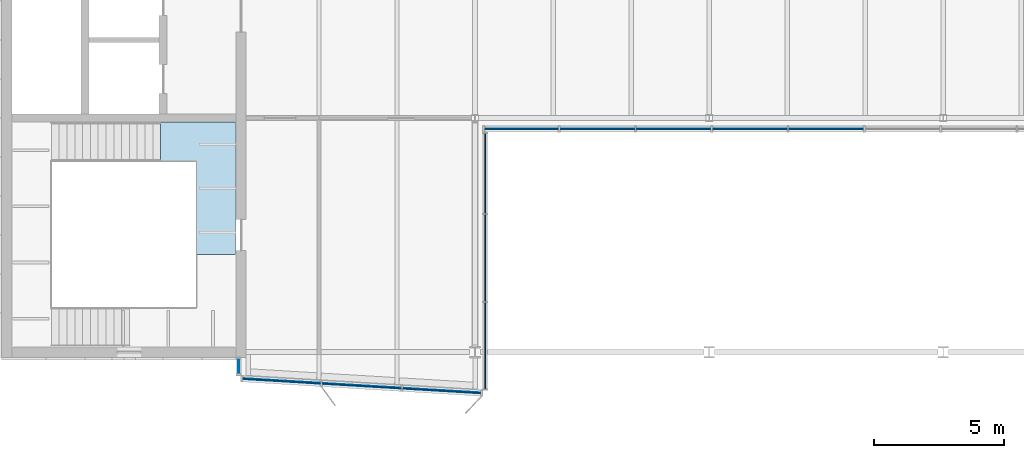
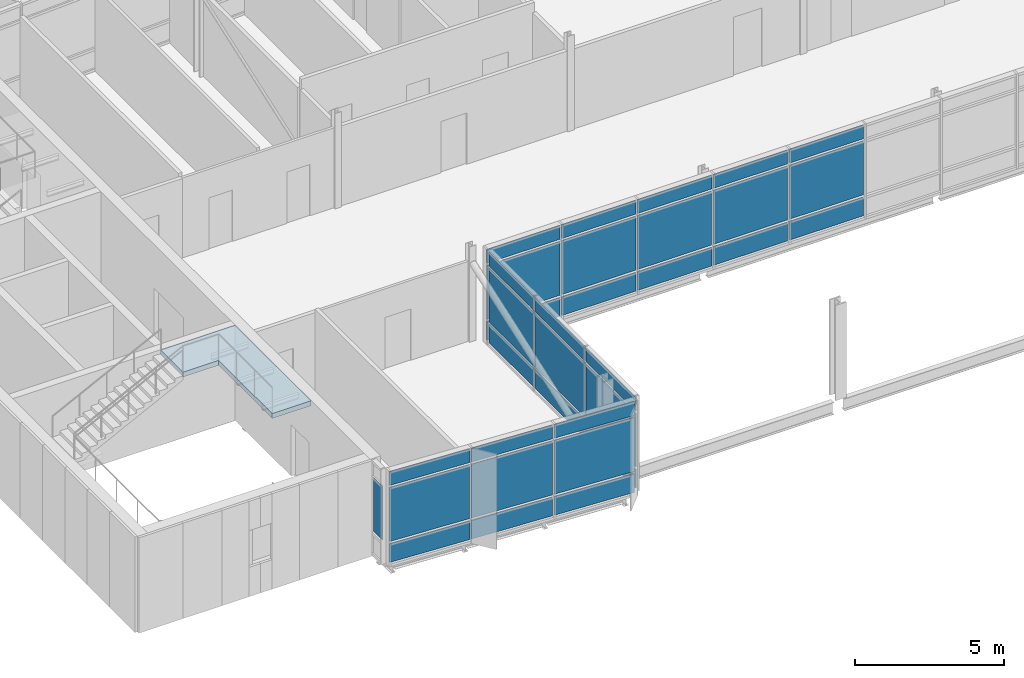
# One storey, part 11 of 20: 34 plates, 1 slab, 5 elements without a shape of their own.
"""IFC4 building model written with IfcOpenShell, lengths in metres."""

from ifc_helpers import new_model, si_unit, direction, frame, origin, origin_2d, place, context, subcontext, project, spatial, polyline, rectangle, outline, extrude, material, layer, layer_set, type_object, element, aggregate, save


model = new_model("IFC4")

# Units and contexts
model_context = context("Model", 3, precision=1e-05, world=origin(), true_north=direction((0.0, 1.0)))
body_context = subcontext(model_context, "Body", "Model", "MODEL_VIEW")
ifc_project = project(units=[si_unit("LENGTHUNIT", "METRE"), si_unit("AREAUNIT", "SQUARE_METRE"), si_unit("VOLUMEUNIT", "CUBIC_METRE"), si_unit("PLANEANGLEUNIT", "RADIAN"), si_unit("MASSUNIT", "GRAM", prefix="KILO")], contexts=[model_context])

# Site, building, storey
site_placement = place(None, origin())
site = spatial("IfcSite", under=ifc_project, at=site_placement, CompositionType="ELEMENT")
building_placement = place(site_placement, origin())
building = spatial("IfcBuilding", under=site, at=building_placement, Name="Azimuth Sports and Learning Centre", CompositionType="ELEMENT")
storey_placement = place(building_placement, frame((0.0, 0.0, 71.39990234375)))
storey = spatial("IfcBuildingStorey", under=building, at=storey_placement, Name="L16", CompositionType="ELEMENT", Elevation=71.39990234375)

# Stair, slab
ifc_material_1 = material(Name="Concrete C32/40", Category="concrete")
stair_type = type_object("IfcStairType", Name="Square-well stair core 3900 storey", PredefinedType="THREE_QUARTER_TURN_STAIR", material=ifc_material_1)
stair_placement = place(storey_placement, origin())
stair = element("IfcStair", 1, at=stair_placement, inside=storey, type_object=stair_type, Name="Stair W1 L16-L17", PredefinedType="THREE_QUARTER_TURN_STAIR")
ifc_material_2 = material(Name="Concrete C32/40", Category="concrete")
ifc_layer_1 = layer(ifc_material_2, 0.199951171875)
ifc_layer_set_1 = layer_set([ifc_layer_1], Name="Concrete C32/40")
slab_type = type_object("IfcSlabType", Name="Concrete stair landing", PredefinedType="LANDING", material=ifc_layer_set_1)
slab_placement = place(storey_placement, frame((0.0, 0.0, 3.7001953125)))
slab = element("IfcSlab", 2, at=slab_placement, type_object=slab_type, Name="Stair W1 L16 landing 3", PredefinedType="LANDING", context=body_context, shape_type="SweptSolid", body=[
    extrude(outline(polyline([(61.2900390625, 97.340087890625), (61.2900390625, 93.75), (62.7900390625, 93.75), (62.7900390625, 98.840087890625), (59.9091796875, 98.840087890625), (59.9091796875, 97.340087890625), (61.2900390625, 97.340087890625)])), origin(), (0.0, 0.0, 1.0), 0.199951171875),
])
aggregate(stair, [slab])

# Curtain wall, plates
ifc_material_3 = material(Name="Aluminium and glass", Category="aluminium")
curtain_wall_type_1 = type_object("IfcCurtainWallType", Name="Curtain wall tower south 240", PredefinedType="NOTDEFINED", material=ifc_material_3)
curtain_wall_1_placement = place(storey_placement, origin())
curtain_wall_1 = element("IfcCurtainWall", 3, at=curtain_wall_1_placement, inside=storey, type_object=curtain_wall_type_1, Name="Curtain wall CW16-002", PredefinedType="NOTDEFINED")
ifc_material_4 = material(Name="Insulated aluminium panel", Category="aluminium")
ifc_layer_2 = layer(ifc_material_4, 0.050048828125)
ifc_layer_set_2 = layer_set([ifc_layer_2], Name="Insulated aluminium panel")
plate_type_1 = type_object("IfcPlateType", Name="Spandrel panel 50 mm", PredefinedType="CURTAIN_PANEL", material=ifc_layer_set_2)
plate_1_placement = place(storey_placement, frame((64.560302734375, 88.88623046875, 0.10009765625), z_axis=(0.0, 0.0, 1.0), x_axis=(0.998204863401, -0.059891991812, 0.0)))
plate_1 = element("IfcPlate", 4, at=plate_1_placement, type_object=plate_type_1, Name="CW16-002 panel 1.1", PredefinedType="CURTAIN_PANEL", context=body_context, shape_type="SweptSolid", body=[
    extrude(rectangle(XDim=3.00048828125, YDim=0.050048828125, at=origin_2d()), origin(), (0.0, 0.0, 1.0), 0.75),
])
plate_2_placement = place(storey_placement, frame((64.560302734375, 88.88623046875, 3.25), z_axis=(0.0, 0.0, 1.0), x_axis=(0.998204863401, -0.059891991812, 0.0)))
plate_2 = element("IfcPlate", 5, at=plate_2_placement, type_object=plate_type_1, Name="CW16-002 panel 1.3", PredefinedType="CURTAIN_PANEL", context=body_context, shape_type="SweptSolid", body=[
    extrude(rectangle(XDim=3.00048828125, YDim=0.050048828125, at=origin_2d()), origin(), (0.0, 0.0, 1.0), 0.550048828125),
])
plate_3_placement = place(storey_placement, frame((67.642822265625, 88.701171875, 0.10009765625), z_axis=(0.0, 0.0, 1.0), x_axis=(0.998204863401, -0.059891991812, 0.0)))
plate_3 = element("IfcPlate", 6, at=plate_3_placement, type_object=plate_type_1, Name="CW16-002 panel 2.1", PredefinedType="CURTAIN_PANEL", context=body_context, shape_type="SweptSolid", body=[
    extrude(rectangle(XDim=3.03564453125, YDim=0.050048828125, at=origin_2d()), origin(), (0.0, 0.0, 1.0), 0.75),
])
plate_4_placement = place(storey_placement, frame((67.642822265625, 88.701171875, 3.25), z_axis=(0.0, 0.0, 1.0), x_axis=(0.998204863401, -0.059891991812, 0.0)))
plate_4 = element("IfcPlate", 7, at=plate_4_placement, type_object=plate_type_1, Name="CW16-002 panel 2.3", PredefinedType="CURTAIN_PANEL", context=body_context, shape_type="SweptSolid", body=[
    extrude(rectangle(XDim=3.03564453125, YDim=0.050048828125, at=origin_2d()), origin(), (0.0, 0.0, 1.0), 0.550048828125),
])
plate_5_placement = place(storey_placement, frame((70.725341796875, 88.516357421875, 0.10009765625), z_axis=(0.0, 0.0, 1.0), x_axis=(0.998204863401, -0.059891991812, 0.0)))
plate_5 = element("IfcPlate", 8, at=plate_5_placement, type_object=plate_type_1, Name="CW16-002 panel 3.1", PredefinedType="CURTAIN_PANEL", context=body_context, shape_type="SweptSolid", body=[
    extrude(rectangle(XDim=3.00048828125, YDim=0.050048828125, at=origin_2d()), origin(), (0.0, 0.0, 1.0), 0.75),
])
plate_6_placement = place(storey_placement, frame((70.725341796875, 88.516357421875, 3.25), z_axis=(0.0, 0.0, 1.0), x_axis=(0.998204863401, -0.059891991812, 0.0)))
plate_6 = element("IfcPlate", 9, at=plate_6_placement, type_object=plate_type_1, Name="CW16-002 panel 3.3", PredefinedType="CURTAIN_PANEL", context=body_context, shape_type="SweptSolid", body=[
    extrude(rectangle(XDim=3.00048828125, YDim=0.050048828125, at=origin_2d()), origin(), (0.0, 0.0, 1.0), 0.550048828125),
])

ifc_material_5 = material(Name="Aluminium and glass", Category="aluminium")
curtain_wall_type_2 = type_object("IfcCurtainWallType", Name="Curtain wall tower return 180", PredefinedType="NOTDEFINED", material=ifc_material_5)
curtain_wall_2_placement = place(storey_placement, origin())
curtain_wall_2 = element("IfcCurtainWall", 10, at=curtain_wall_2_placement, inside=storey, type_object=curtain_wall_type_2, Name="Curtain wall CW16-003", PredefinedType="NOTDEFINED")
plate_7_placement = place(storey_placement, frame((72.389892578125, 90.25, 0.10009765625), z_axis=(0.0, 0.0, 1.0), x_axis=(0.0, 1.0, 0.0)))
plate_7 = element("IfcPlate", 11, at=plate_7_placement, type_object=plate_type_1, Name="CW16-003 panel 1.1", PredefinedType="CURTAIN_PANEL", context=body_context, shape_type="SweptSolid", body=[
    extrude(rectangle(XDim=3.2958984375, YDim=0.050048828125, at=origin_2d()), origin(), (0.0, 0.0, 1.0), 0.75),
])
plate_8_placement = place(storey_placement, frame((72.389892578125, 90.25, 0.9501953125), z_axis=(0.0, 0.0, 1.0), x_axis=(0.0, 1.0, 0.0)))
plate_8 = element("IfcPlate", 12, at=plate_8_placement, type_object=plate_type_1, Name="CW16-003 panel 1.2", PredefinedType="CURTAIN_PANEL", context=body_context, shape_type="SweptSolid", body=[
    extrude(rectangle(XDim=3.2958984375, YDim=0.050048828125, at=origin_2d()), origin(), (0.0, 0.0, 1.0), 2.199951171875),
])
plate_9_placement = place(storey_placement, frame((72.389892578125, 90.25, 3.25), z_axis=(0.0, 0.0, 1.0), x_axis=(0.0, 1.0, 0.0)))
plate_9 = element("IfcPlate", 13, at=plate_9_placement, type_object=plate_type_1, Name="CW16-003 panel 1.3", PredefinedType="CURTAIN_PANEL", context=body_context, shape_type="SweptSolid", body=[
    extrude(rectangle(XDim=3.2958984375, YDim=0.050048828125, at=origin_2d()), origin(), (0.0, 0.0, 1.0), 0.550048828125),
])
plate_10_placement = place(storey_placement, frame((72.389892578125, 93.62109375, 0.10009765625), z_axis=(0.0, 0.0, 1.0), x_axis=(0.0, 1.0, 0.0)))
plate_10 = element("IfcPlate", 14, at=plate_10_placement, type_object=plate_type_1, Name="CW16-003 panel 2.1", PredefinedType="CURTAIN_PANEL", context=body_context, shape_type="SweptSolid", body=[
    extrude(rectangle(XDim=3.325927734375, YDim=0.050048828125, at=origin_2d()), origin(), (0.0, 0.0, 1.0), 0.75),
])
plate_11_placement = place(storey_placement, frame((72.389892578125, 93.62109375, 0.9501953125), z_axis=(0.0, 0.0, 1.0), x_axis=(0.0, 1.0, 0.0)))
plate_11 = element("IfcPlate", 15, at=plate_11_placement, type_object=plate_type_1, Name="CW16-003 panel 2.2", PredefinedType="CURTAIN_PANEL", context=body_context, shape_type="SweptSolid", body=[
    extrude(rectangle(XDim=3.325927734375, YDim=0.050048828125, at=origin_2d()), origin(), (0.0, 0.0, 1.0), 2.199951171875),
])
plate_12_placement = place(storey_placement, frame((72.389892578125, 93.62109375, 3.25), z_axis=(0.0, 0.0, 1.0), x_axis=(0.0, 1.0, 0.0)))
plate_12 = element("IfcPlate", 16, at=plate_12_placement, type_object=plate_type_1, Name="CW16-003 panel 2.3", PredefinedType="CURTAIN_PANEL", context=body_context, shape_type="SweptSolid", body=[
    extrude(rectangle(XDim=3.325927734375, YDim=0.050048828125, at=origin_2d()), origin(), (0.0, 0.0, 1.0), 0.550048828125),
])
plate_13_placement = place(storey_placement, frame((72.389892578125, 96.8720703125, 0.10009765625), z_axis=(0.0, 0.0, 1.0), x_axis=(0.0, 1.0, 0.0)))
plate_13 = element("IfcPlate", 17, at=plate_13_placement, type_object=plate_type_1, Name="CW16-003 panel 3.1", PredefinedType="CURTAIN_PANEL", context=body_context, shape_type="SweptSolid", body=[
    extrude(rectangle(XDim=3.055908203125, YDim=0.050048828125, at=origin_2d()), origin(), (0.0, 0.0, 1.0), 0.75),
])
plate_14_placement = place(storey_placement, frame((72.389892578125, 96.8720703125, 0.9501953125), z_axis=(0.0, 0.0, 1.0), x_axis=(0.0, 1.0, 0.0)))
plate_14 = element("IfcPlate", 18, at=plate_14_placement, type_object=plate_type_1, Name="CW16-003 panel 3.2", PredefinedType="CURTAIN_PANEL", context=body_context, shape_type="SweptSolid", body=[
    extrude(rectangle(XDim=3.055908203125, YDim=0.050048828125, at=origin_2d()), origin(), (0.0, 0.0, 1.0), 2.199951171875),
])
plate_15_placement = place(storey_placement, frame((72.389892578125, 96.8720703125, 3.25), z_axis=(0.0, 0.0, 1.0), x_axis=(0.0, 1.0, 0.0)))
plate_15 = element("IfcPlate", 19, at=plate_15_placement, type_object=plate_type_1, Name="CW16-003 panel 3.3", PredefinedType="CURTAIN_PANEL", context=body_context, shape_type="SweptSolid", body=[
    extrude(rectangle(XDim=3.055908203125, YDim=0.050048828125, at=origin_2d()), origin(), (0.0, 0.0, 1.0), 0.550048828125),
])
aggregate(curtain_wall_2, [plate_7, plate_8, plate_9, plate_10, plate_11, plate_12, plate_13, plate_14, plate_15])

curtain_wall_3_placement = place(storey_placement, origin())
curtain_wall_3 = element("IfcCurtainWall", 20, at=curtain_wall_3_placement, inside=storey, type_object=curtain_wall_type_1, Name="Curtain wall CW16-004", PredefinedType="NOTDEFINED")
plate_16_placement = place(storey_placement, frame((73.7841796875, 98.580078125, 0.10009765625), z_axis=(0.0, 0.0, 1.0), x_axis=(1.0, 0.0, 0.0)))
plate_16 = element("IfcPlate", 21, at=plate_16_placement, type_object=plate_type_1, Name="CW16-004 panel 1.1", PredefinedType="CURTAIN_PANEL", context=body_context, shape_type="SweptSolid", body=[
    extrude(rectangle(XDim=2.828369140625, YDim=0.050048828125, at=origin_2d()), origin(), (0.0, 0.0, 1.0), 0.75),
])
plate_17_placement = place(storey_placement, frame((73.7841796875, 98.580078125, 3.25), z_axis=(0.0, 0.0, 1.0), x_axis=(1.0, 0.0, 0.0)))
plate_17 = element("IfcPlate", 22, at=plate_17_placement, type_object=plate_type_1, Name="CW16-004 panel 1.3", PredefinedType="CURTAIN_PANEL", context=body_context, shape_type="SweptSolid", body=[
    extrude(rectangle(XDim=2.828369140625, YDim=0.050048828125, at=origin_2d()), origin(), (0.0, 0.0, 1.0), 0.550048828125),
])
plate_18_placement = place(storey_placement, frame((76.699951171875, 98.580078125, 0.10009765625), z_axis=(0.0, 0.0, 1.0), x_axis=(1.0, 0.0, 0.0)))
plate_18 = element("IfcPlate", 23, at=plate_18_placement, type_object=plate_type_1, Name="CW16-004 panel 2.1", PredefinedType="CURTAIN_PANEL", context=body_context, shape_type="SweptSolid", body=[
    extrude(rectangle(XDim=2.86328125, YDim=0.050048828125, at=origin_2d()), origin(), (0.0, 0.0, 1.0), 0.75),
])
plate_19_placement = place(storey_placement, frame((76.699951171875, 98.580078125, 3.25), z_axis=(0.0, 0.0, 1.0), x_axis=(1.0, 0.0, 0.0)))
plate_19 = element("IfcPlate", 24, at=plate_19_placement, type_object=plate_type_1, Name="CW16-004 panel 2.3", PredefinedType="CURTAIN_PANEL", context=body_context, shape_type="SweptSolid", body=[
    extrude(rectangle(XDim=2.86328125, YDim=0.050048828125, at=origin_2d()), origin(), (0.0, 0.0, 1.0), 0.550048828125),
])
plate_20_placement = place(storey_placement, frame((79.63330078125, 98.580078125, 0.10009765625), z_axis=(0.0, 0.0, 1.0), x_axis=(1.0, 0.0, 0.0)))
plate_20 = element("IfcPlate", 25, at=plate_20_placement, type_object=plate_type_1, Name="CW16-004 panel 3.1", PredefinedType="CURTAIN_PANEL", context=body_context, shape_type="SweptSolid", body=[
    extrude(rectangle(XDim=2.86328125, YDim=0.050048828125, at=origin_2d()), origin(), (0.0, 0.0, 1.0), 0.75),
])
plate_21_placement = place(storey_placement, frame((79.63330078125, 98.580078125, 3.25), z_axis=(0.0, 0.0, 1.0), x_axis=(1.0, 0.0, 0.0)))
plate_21 = element("IfcPlate", 26, at=plate_21_placement, type_object=plate_type_1, Name="CW16-004 panel 3.3", PredefinedType="CURTAIN_PANEL", context=body_context, shape_type="SweptSolid", body=[
    extrude(rectangle(XDim=2.86328125, YDim=0.050048828125, at=origin_2d()), origin(), (0.0, 0.0, 1.0), 0.550048828125),
])
plate_22_placement = place(storey_placement, frame((82.566650390625, 98.580078125, 0.10009765625), z_axis=(0.0, 0.0, 1.0), x_axis=(1.0, 0.0, 0.0)))
plate_22 = element("IfcPlate", 27, at=plate_22_placement, type_object=plate_type_1, Name="CW16-004 panel 4.1", PredefinedType="CURTAIN_PANEL", context=body_context, shape_type="SweptSolid", body=[
    extrude(rectangle(XDim=2.86328125, YDim=0.050048828125, at=origin_2d()), origin(), (0.0, 0.0, 1.0), 0.75),
])
plate_23_placement = place(storey_placement, frame((82.566650390625, 98.580078125, 3.25), z_axis=(0.0, 0.0, 1.0), x_axis=(1.0, 0.0, 0.0)))
plate_23 = element("IfcPlate", 28, at=plate_23_placement, type_object=plate_type_1, Name="CW16-004 panel 4.3", PredefinedType="CURTAIN_PANEL", context=body_context, shape_type="SweptSolid", body=[
    extrude(rectangle(XDim=2.86328125, YDim=0.050048828125, at=origin_2d()), origin(), (0.0, 0.0, 1.0), 0.550048828125),
])
plate_24_placement = place(storey_placement, frame((85.5, 98.580078125, 0.10009765625), z_axis=(0.0, 0.0, 1.0), x_axis=(1.0, 0.0, 0.0)))
plate_24 = element("IfcPlate", 29, at=plate_24_placement, type_object=plate_type_1, Name="CW16-004 panel 5.1", PredefinedType="CURTAIN_PANEL", context=body_context, shape_type="SweptSolid", body=[
    extrude(rectangle(XDim=2.86328125, YDim=0.050048828125, at=origin_2d()), origin(), (0.0, 0.0, 1.0), 0.75),
])
plate_25_placement = place(storey_placement, frame((85.5, 98.580078125, 3.25), z_axis=(0.0, 0.0, 1.0), x_axis=(1.0, 0.0, 0.0)))
plate_25 = element("IfcPlate", 30, at=plate_25_placement, type_object=plate_type_1, Name="CW16-004 panel 5.3", PredefinedType="CURTAIN_PANEL", context=body_context, shape_type="SweptSolid", body=[
    extrude(rectangle(XDim=2.86328125, YDim=0.050048828125, at=origin_2d()), origin(), (0.0, 0.0, 1.0), 0.550048828125),
])

# Curtain wall, plate
curtain_wall_4_placement = place(storey_placement, origin())
curtain_wall_4 = element("IfcCurtainWall", 31, at=curtain_wall_4_placement, inside=storey, type_object=curtain_wall_type_2, Name="Curtain wall CW16-001", PredefinedType="NOTDEFINED")
ifc_material_6 = material(Name="Glass", Category="glass")
ifc_layer_3 = layer(ifc_material_6, 0.031982421875)
ifc_layer_set_3 = layer_set([ifc_layer_3], Name="Glass")
plate_type_2 = type_object("IfcPlateType", Name="Vision glass 32 mm", PredefinedType="CURTAIN_PANEL", material=ifc_layer_set_3)
plate_26_placement = place(storey_placement, frame((62.909912109375, 89.449951171875, 0.9501953125), z_axis=(0.0, 0.0, 1.0), x_axis=(0.0, -1.0, 0.0)))
plate_26 = element("IfcPlate", 32, at=plate_26_placement, type_object=plate_type_2, Name="CW16-001 panel 1.2", PredefinedType="CURTAIN_PANEL", context=body_context, shape_type="SweptSolid", body=[
    extrude(rectangle(XDim=0.580078125, YDim=0.031982421875, at=origin_2d()), origin(), (0.0, 0.0, 1.0), 2.199951171875),
])
aggregate(curtain_wall_4, [plate_26])

# Plate
plate_27_placement = place(storey_placement, frame((64.560302734375, 88.88623046875, 0.9501953125), z_axis=(0.0, 0.0, 1.0), x_axis=(0.998204863401, -0.059891991812, 0.0)))
plate_27 = element("IfcPlate", 33, at=plate_27_placement, type_object=plate_type_2, Name="CW16-002 panel 1.2", PredefinedType="CURTAIN_PANEL", context=body_context, shape_type="SweptSolid", body=[
    extrude(rectangle(XDim=3.00048828125, YDim=0.031982421875, at=origin_2d()), origin(), (0.0, 0.0, 1.0), 2.199951171875),
])

plate_28_placement = place(storey_placement, frame((67.642822265625, 88.701171875, 0.9501953125), z_axis=(0.0, 0.0, 1.0), x_axis=(0.998204863401, -0.059891991812, 0.0)))
plate_28 = element("IfcPlate", 34, at=plate_28_placement, type_object=plate_type_2, Name="CW16-002 panel 2.2", PredefinedType="CURTAIN_PANEL", context=body_context, shape_type="SweptSolid", body=[
    extrude(rectangle(XDim=3.03564453125, YDim=0.031982421875, at=origin_2d()), origin(), (0.0, 0.0, 1.0), 2.199951171875),
])

plate_29_placement = place(storey_placement, frame((70.725341796875, 88.516357421875, 0.9501953125), z_axis=(0.0, 0.0, 1.0), x_axis=(0.998204863401, -0.059891991812, 0.0)))
plate_29 = element("IfcPlate", 35, at=plate_29_placement, type_object=plate_type_2, Name="CW16-002 panel 3.2", PredefinedType="CURTAIN_PANEL", context=body_context, shape_type="SweptSolid", body=[
    extrude(rectangle(XDim=3.00048828125, YDim=0.031982421875, at=origin_2d()), origin(), (0.0, 0.0, 1.0), 2.199951171875),
])

aggregate(curtain_wall_1, [plate_1, plate_27, plate_2, plate_3, plate_28, plate_4, plate_5, plate_29, plate_6])

plate_30_placement = place(storey_placement, frame((73.7841796875, 98.580078125, 0.9501953125), z_axis=(0.0, 0.0, 1.0), x_axis=(1.0, 0.0, 0.0)))
plate_30 = element("IfcPlate", 36, at=plate_30_placement, type_object=plate_type_2, Name="CW16-004 panel 1.2", PredefinedType="CURTAIN_PANEL", context=body_context, shape_type="SweptSolid", body=[
    extrude(rectangle(XDim=2.828369140625, YDim=0.031982421875, at=origin_2d()), origin(), (0.0, 0.0, 1.0), 2.199951171875),
])

plate_31_placement = place(storey_placement, frame((76.699951171875, 98.580078125, 0.9501953125), z_axis=(0.0, 0.0, 1.0), x_axis=(1.0, 0.0, 0.0)))
plate_31 = element("IfcPlate", 37, at=plate_31_placement, type_object=plate_type_2, Name="CW16-004 panel 2.2", PredefinedType="CURTAIN_PANEL", context=body_context, shape_type="SweptSolid", body=[
    extrude(rectangle(XDim=2.86328125, YDim=0.031982421875, at=origin_2d()), origin(), (0.0, 0.0, 1.0), 2.199951171875),
])

plate_32_placement = place(storey_placement, frame((79.63330078125, 98.580078125, 0.9501953125), z_axis=(0.0, 0.0, 1.0), x_axis=(1.0, 0.0, 0.0)))
plate_32 = element("IfcPlate", 38, at=plate_32_placement, type_object=plate_type_2, Name="CW16-004 panel 3.2", PredefinedType="CURTAIN_PANEL", context=body_context, shape_type="SweptSolid", body=[
    extrude(rectangle(XDim=2.86328125, YDim=0.031982421875, at=origin_2d()), origin(), (0.0, 0.0, 1.0), 2.199951171875),
])

plate_33_placement = place(storey_placement, frame((82.566650390625, 98.580078125, 0.9501953125), z_axis=(0.0, 0.0, 1.0), x_axis=(1.0, 0.0, 0.0)))
plate_33 = element("IfcPlate", 39, at=plate_33_placement, type_object=plate_type_2, Name="CW16-004 panel 4.2", PredefinedType="CURTAIN_PANEL", context=body_context, shape_type="SweptSolid", body=[
    extrude(rectangle(XDim=2.86328125, YDim=0.031982421875, at=origin_2d()), origin(), (0.0, 0.0, 1.0), 2.199951171875),
])

plate_34_placement = place(storey_placement, frame((85.5, 98.580078125, 0.9501953125), z_axis=(0.0, 0.0, 1.0), x_axis=(1.0, 0.0, 0.0)))
plate_34 = element("IfcPlate", 40, at=plate_34_placement, type_object=plate_type_2, Name="CW16-004 panel 5.2", PredefinedType="CURTAIN_PANEL", context=body_context, shape_type="SweptSolid", body=[
    extrude(rectangle(XDim=2.86328125, YDim=0.031982421875, at=origin_2d()), origin(), (0.0, 0.0, 1.0), 2.199951171875),
])

aggregate(curtain_wall_3, [plate_16, plate_30, plate_17, plate_18, plate_31, plate_19, plate_20, plate_32, plate_21, plate_22, plate_33, plate_23, plate_24, plate_34, plate_25])

save(model, "model.ifc")
